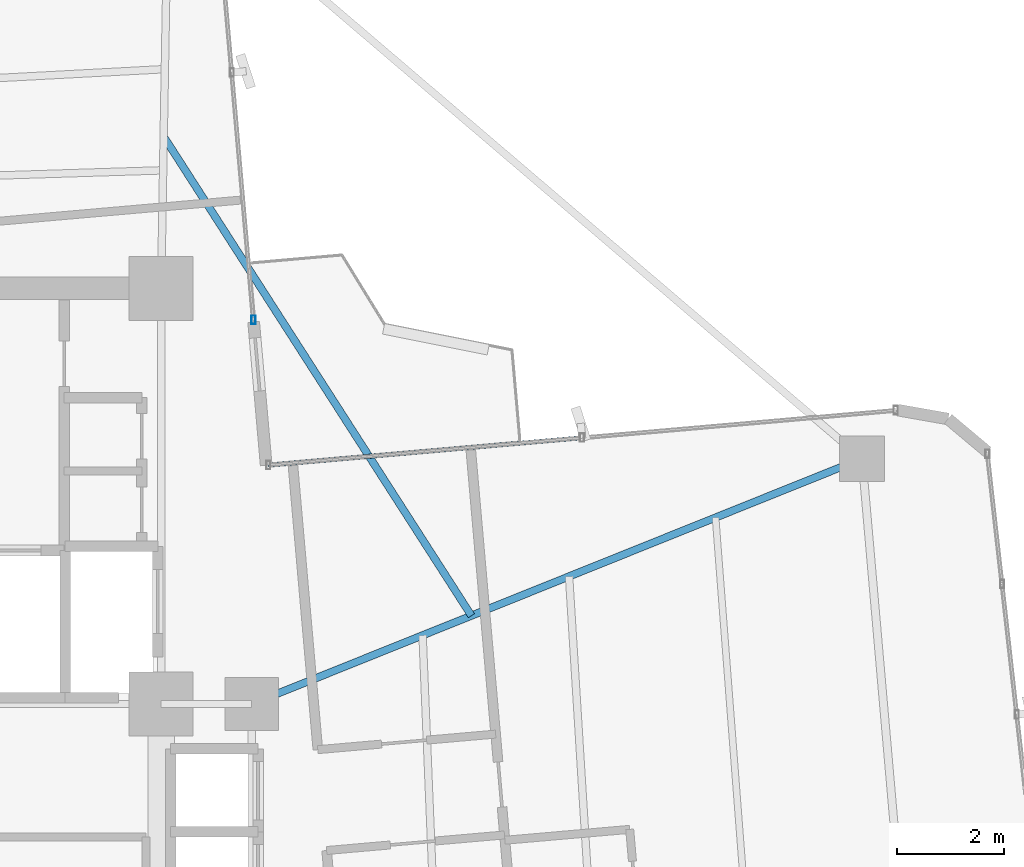
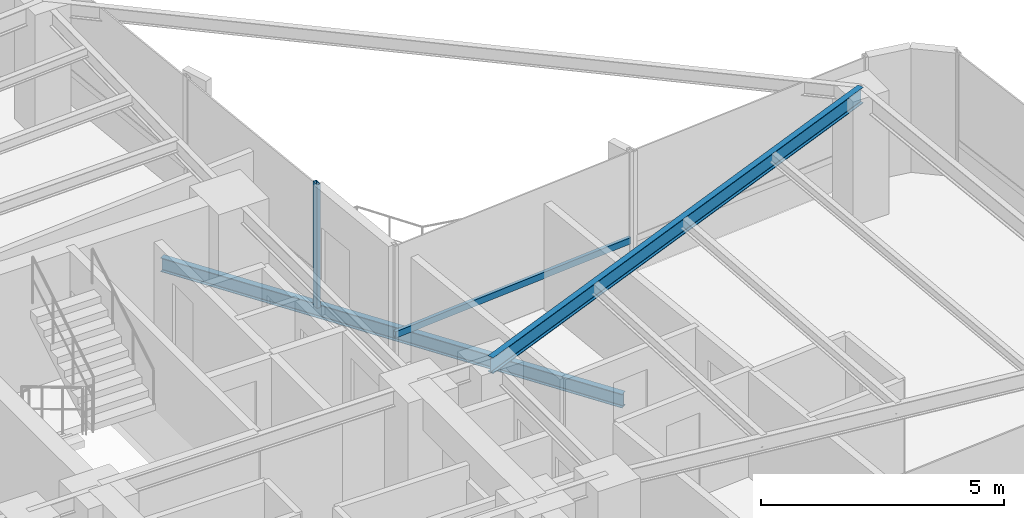
# One storey, part 12 of 24: 2 beams, 2 members, 2 elements without a shape of their own.
"""IFC4 building model written with IfcOpenShell, lengths in metres."""

from ifc_helpers import new_model, si_unit, direction, frame, origin, origin_2d, place, context, subcontext, project, spatial, hollow_rectangle, i_section, extrude, source, transform, mapped, material, material_profile, profile_set, type_object, element, aggregate, save


model = new_model("IFC4")

# Units and contexts
model_context = context("Model", 3, precision=1e-05, world=origin(), true_north=direction((0.0, 1.0)))
body_context = subcontext(model_context, "Body", "Model", "MODEL_VIEW")
ifc_project = project(units=[si_unit("LENGTHUNIT", "METRE"), si_unit("AREAUNIT", "SQUARE_METRE"), si_unit("VOLUMEUNIT", "CUBIC_METRE"), si_unit("PLANEANGLEUNIT", "RADIAN"), si_unit("MASSUNIT", "GRAM", prefix="KILO")], contexts=[model_context])

# Site, building, storey
site_placement = place(None, origin())
site = spatial("IfcSite", under=ifc_project, at=site_placement, CompositionType="ELEMENT")
building_placement = place(site_placement, origin())
building = spatial("IfcBuilding", under=site, at=building_placement, Name="Sahyath Konkavel Grand Hotel", CompositionType="ELEMENT")
storey_placement = place(building_placement, frame((0.0, 0.0, 195.300048828125)))
storey = spatial("IfcBuildingStorey", under=building, at=storey_placement, Name="L54", CompositionType="ELEMENT", Elevation=195.300048828125)

# Beam
ifc_material_1 = material(Name="Steel E350", Category="steel")
ifc_material_profile_1 = material_profile(ifc_material_1, i_section(OverallWidth=0.139892578125, OverallDepth=0.39990234375, WebThickness=0.0087890625, FlangeThickness=0.01611328125, FilletRadius=0.013916015625, at=origin_2d()), Name="ISMB 400")
ifc_profile_set_1 = profile_set([ifc_material_profile_1], Name="Steel E350")
beam_type_1 = type_object("IfcBeamType", Name="BM-ISMB400", PredefinedType="BEAM", material=ifc_profile_set_1)
shared_shape_1 = source(origin(), body_context, "Body", "SweptSolid", [
    extrude(i_section(OverallWidth=0.139892578125, OverallDepth=0.39990234375, WebThickness=0.0087890625, FlangeThickness=0.01611328125, FilletRadius=0.013916015625, at=origin_2d()), origin(), (0.0, 0.0, 1.0), 12.344970703125),
])
beam_1_placement = place(storey_placement, frame((5.5, 2.39990234375, 2.909912109375), z_axis=(0.927837014101, 0.372985891507, 0.0), x_axis=(-0.372985891507, 0.927837014101, 0.0)))
element("IfcBeam", 1, at=beam_1_placement, inside=storey, type_object=beam_type_1, Name="L54 Cruciform Radial Girder EB", PredefinedType="BEAM", context=body_context, shape_type="MappedRepresentation", body=[
    mapped(shared_shape_1, transform((0.0, 0.0, 0.0), scale=1.0)),
])

# Curtain wall, member
ifc_material_2 = material(Name="Anodised Bronze Aluminium & Low-E Glazing", Category="aluminium")
curtain_wall_type = type_object("IfcCurtainWallType", Name="CW-ZONE3", PredefinedType="NOTDEFINED", material=ifc_material_2)
curtain_wall_1_placement = place(storey_placement, origin())
curtain_wall_1 = element("IfcCurtainWall", 2, at=curtain_wall_1_placement, inside=storey, type_object=curtain_wall_type, Name="L54 Unitised Curtain Wall F8", PredefinedType="NOTDEFINED")
ifc_material_3 = material(Name="Anodised Bronze Aluminium", Category="aluminium")
ifc_material_profile_2 = material_profile(ifc_material_3, hollow_rectangle(XDim=0.080078125, YDim=0.159912109375, WallThickness=0.006103515625, at=origin_2d()), Name="RHS 160x80x6")
ifc_profile_set_2 = profile_set([ifc_material_profile_2], Name="Anodised Bronze Aluminium")
member_type_1 = type_object("IfcMemberType", Name="CW-MUL-160", PredefinedType="MULLION", material=ifc_profile_set_2)
shared_shape_2 = source(origin(), body_context, "Body", "SweptSolid", [
    extrude(hollow_rectangle(XDim=0.080078125, YDim=0.159912109375, WallThickness=0.006103515625, at=origin_2d()), origin(), (0.0, 0.0, 1.0), 3.10986328125),
])
member_1_placement = place(storey_placement, frame((5.53369140625, 9.60888671875, 0.0), z_axis=(0.0, 0.0, 1.0), x_axis=(1.0, 0.0, 0.0)))
member_1 = element("IfcMember", 3, at=member_1_placement, type_object=member_type_1, Name="L54 Curtain Wall Mullion F8-0", PredefinedType="MULLION", context=body_context, shape_type="MappedRepresentation", body=[
    mapped(shared_shape_2, transform((0.0, 0.0, 0.0), scale=1.0)),
])
aggregate(curtain_wall_1, [member_1])

curtain_wall_2_placement = place(storey_placement, origin())
curtain_wall_2 = element("IfcCurtainWall", 4, at=curtain_wall_2_placement, inside=storey, type_object=curtain_wall_type, Name="L54 Unitised Curtain Wall F7", PredefinedType="NOTDEFINED")
ifc_material_profile_3 = material_profile(ifc_material_3, hollow_rectangle(XDim=0.080078125, YDim=0.159912109375, WallThickness=0.006103515625, at=origin_2d()), Name="RHS 160x80x6")
ifc_profile_set_3 = profile_set([ifc_material_profile_3], Name="Anodised Bronze Aluminium")
member_type_2 = type_object("IfcMemberType", Name="CW-TRN-160", PredefinedType="USERDEFINED", material=ifc_profile_set_3)
shared_shape_3 = source(origin(), body_context, "Body", "SweptSolid", [
    extrude(hollow_rectangle(XDim=0.080078125, YDim=0.159912109375, WallThickness=0.006103515625, at=origin_2d()), origin(), (0.0, 0.0, 1.0), 5.909912109375),
])
member_2_placement = place(storey_placement, frame((11.69970703125, 7.39794921875, 0.849853515625), z_axis=(-0.996193941691, -0.087164388014, 0.0), x_axis=(0.087164388014, -0.996193941691, 0.0)))
member_2 = element("IfcMember", 5, at=member_2_placement, type_object=member_type_2, Name="L54 Curtain Wall Transom F7-1-spandrel", ObjectType="TRANSOM", PredefinedType="USERDEFINED", context=body_context, shape_type="MappedRepresentation", body=[
    mapped(shared_shape_3, transform((0.0, 0.0, 0.0), scale=1.0)),
])
aggregate(curtain_wall_2, [member_2])

# Beam
ifc_material_profile_4 = material_profile(ifc_material_1, i_section(OverallWidth=0.139892578125, OverallDepth=0.35009765625, WebThickness=0.008056640625, FlangeThickness=0.01416015625, FilletRadius=0.013916015625, at=origin_2d()), Name="ISMB 350")
ifc_profile_set_4 = profile_set([ifc_material_profile_4], Name="Steel E350")
beam_type_2 = type_object("IfcBeamType", Name="BM-BALC-CANT", PredefinedType="BEAM", material=ifc_profile_set_4)
shared_shape_4 = source(origin(), body_context, "Body", "SweptSolid", [
    extrude(i_section(OverallWidth=0.139892578125, OverallDepth=0.35009765625, WebThickness=0.008056640625, FlangeThickness=0.01416015625, FilletRadius=0.013916015625, at=origin_2d()), origin(), (0.0, 0.0, 1.0), 10.685302734375),
])
beam_2_placement = place(storey_placement, frame((9.62353515625, 4.0576171875, -0.4150390625), z_axis=(-0.540404181048, 0.841405562797, 0.0), x_axis=(-0.841405562797, -0.540404181048, 0.0)))
element("IfcBeam", 6, at=beam_2_placement, inside=storey, type_object=beam_type_2, Name="L54 Balcony Cantilever Support Beam NE", PredefinedType="BEAM", context=body_context, shape_type="MappedRepresentation", body=[
    mapped(shared_shape_4, transform((0.0, 0.0, 0.0), scale=1.0)),
])

save(model, "model.ifc")
